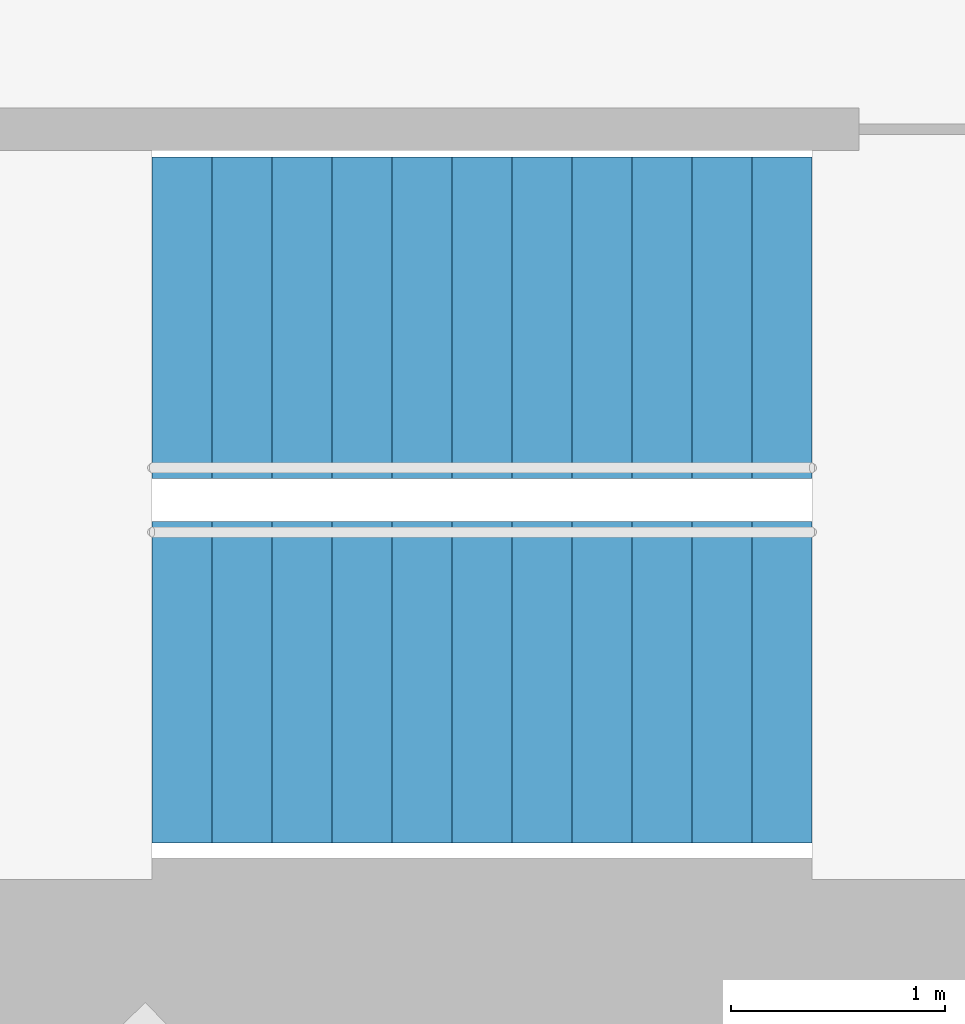
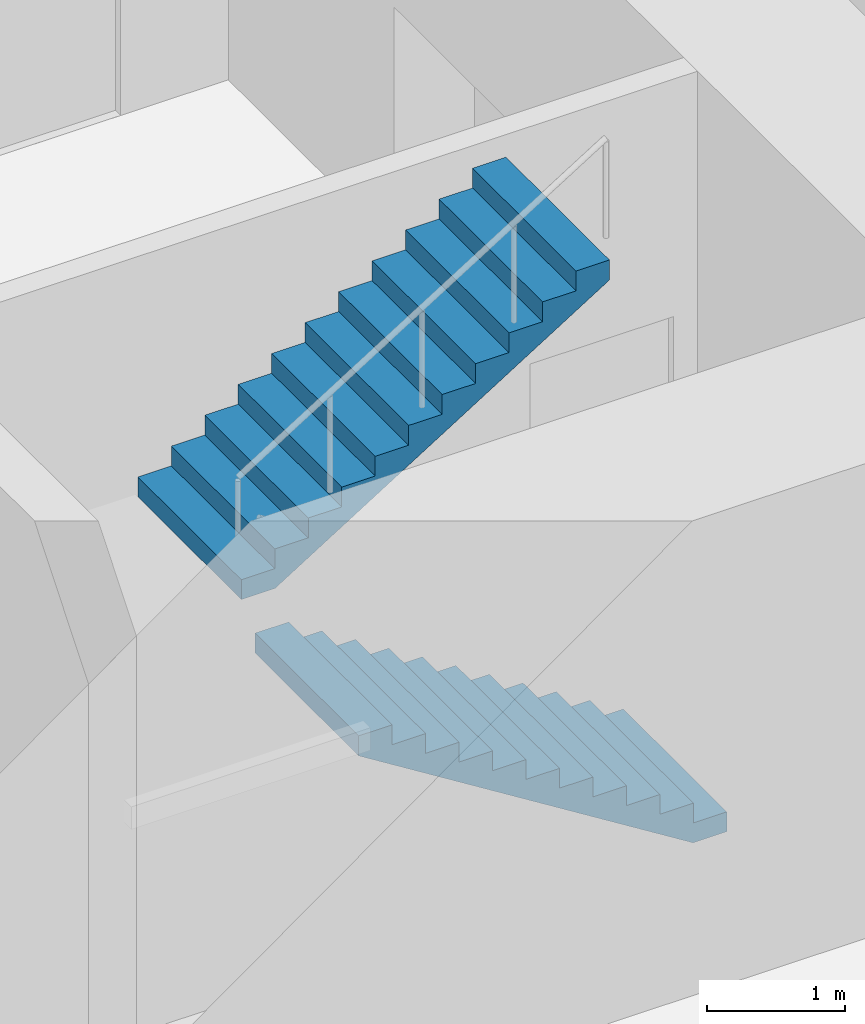
# One storey, part 17 of 18: 2 stair flights, 1 element without a shape of its own.
"""IFC4 building model written with IfcOpenShell, lengths in metres."""

import ifcopenshell
import ifcopenshell.guid

model = None  # the IFC model being written
_history = None  # IfcOwnerHistory: only IFC2X3 demands one
_inside = {}  # id of a spatial element -> (the spatial element, [elements in it])
_under = {}  # id of a project, library or spatial element -> (it, [spatial elements below it])
_declared = {}  # id of a project -> (the project, [libraries it declares])
_typed = {}  # id of a type object -> (the type object, [elements of that type])
_made_of = {}  # id of a material, layer set ... -> (it, [elements and type objects made of it])


def new_model(schema):
    """Start an empty IFC model of exactly this schema.

    Asked for "IFC4X3", IfcOpenShell would pick the latest addendum, in which some entities
    have other attributes; the version numbers below select the first issue.
    IFC2X3 requires an IfcOwnerHistory on every rooted entity: one is made here for all.
    """
    global model, _history
    if schema == "IFC4X3":
        model = ifcopenshell.file(schema_version=(4, 3, 0, 0))
    else:
        model = ifcopenshell.file(schema=schema)
    _inside.clear()
    _under.clear()
    _declared.clear()
    _typed.clear()
    _made_of.clear()
    _history = None
    if model.schema == "IFC2X3":
        org = make("IfcOrganization", Name="unknown")
        user = make(
            "IfcPersonAndOrganization",
            ThePerson=make("IfcPerson", FamilyName="unknown"),
            TheOrganization=org,
        )
        app = make(
            "IfcApplication",
            ApplicationDeveloper=org,
            Version="unknown",
            ApplicationFullName="unknown",
            ApplicationIdentifier="unknown",
        )
        _history = make(
            "IfcOwnerHistory",
            OwningUser=user,
            OwningApplication=app,
            ChangeAction="ADDED",
            CreationDate=0,
        )
    return model


def make(cls, **values):
    """One entity of the class cls with the attributes given. An attribute that is None is left unset."""
    return model.create_entity(
        cls, **{name: value for name, value in values.items() if value is not None}
    )


def rooted(cls, **values):
    """An entity with a GlobalId (a new one), such as an element, a storey or a relation."""
    return make(cls, GlobalId=ifcopenshell.guid.new(), OwnerHistory=_history, **values)


def si_unit(unit_type, name, prefix=None):
    """IfcSIUnit, for example si_unit("LENGTHUNIT", "METRE", prefix="MILLI")."""
    return make("IfcSIUnit", UnitType=unit_type, Prefix=prefix, Name=name)


def assignment(units):
    """IfcUnitAssignment: the units of a project."""
    return None if units is None else make("IfcUnitAssignment", Units=units)


def point(xyz):
    """IfcCartesianPoint."""
    return None if xyz is None else make("IfcCartesianPoint", Coordinates=xyz)


def direction(xyz):
    """IfcDirection."""
    return None if xyz is None else make("IfcDirection", DirectionRatios=xyz)


def frame(location, z_axis=None, x_axis=None):
    """IfcAxis2Placement3D, a coordinate frame: its origin and axes. An axis left out is left unset."""
    return make(
        "IfcAxis2Placement3D",
        Location=point(location),
        Axis=direction(z_axis),
        RefDirection=direction(x_axis),
    )


def origin():
    """The frame at (0, 0, 0) with its axes left unset."""
    return frame((0.0, 0.0, 0.0))


def place(relative_to, where):
    """IfcLocalPlacement: puts the frame where relative to a parent placement (None: the world)."""
    return make(
        "IfcLocalPlacement", PlacementRelTo=relative_to, RelativePlacement=where
    )


def context(
    kind, dimensions, precision=None, world=None, true_north=None, identifier=None
):
    """IfcGeometricRepresentationContext, for example the 3D "Model" context."""
    return make(
        "IfcGeometricRepresentationContext",
        ContextIdentifier=identifier,
        ContextType=kind,
        CoordinateSpaceDimension=dimensions,
        Precision=precision,
        WorldCoordinateSystem=world,
        TrueNorth=true_north,
    )


def subcontext(parent, identifier, kind, view, scale=None):
    """IfcGeometricRepresentationSubContext, for example "Body" below "Model"."""
    return make(
        "IfcGeometricRepresentationSubContext",
        ContextIdentifier=identifier,
        ContextType=kind,
        ParentContext=parent,
        TargetScale=scale,
        TargetView=view,
    )


def project(units=None, contexts=None):
    """IfcProject with its units and contexts."""
    return rooted(
        "IfcProject",
        Name="project",
        RepresentationContexts=contexts,
        UnitsInContext=assignment(units),
    )


def spatial(cls, under=None, at=None, **own):
    """A site, building, storey or space (cls), placed at a placement, below another one or the project."""
    s = rooted(cls, ObjectPlacement=at, **own)
    if under is not None:
        _under.setdefault(under.id(), (under, []))[1].append(s)
    return s


def point_list(points):
    """IfcCartesianPointList2D or 3D."""
    cls = (
        "IfcCartesianPointList2D" if len(points[0]) == 2 else "IfcCartesianPointList3D"
    )
    return make(cls, CoordList=points)


def triangles(points, corners, closed=None, point_numbers=None):
    """IfcTriangulatedFaceSet: each triangle names its three corners, points numbered from 1."""
    return make(
        "IfcTriangulatedFaceSet",
        Coordinates=point_list(points),
        Closed=closed,
        CoordIndex=corners,
        PnIndex=point_numbers,
    )


def shape(context_of_items, identifier, shape_type, items):
    """IfcShapeRepresentation: the items that make up one representation, for example the "Body"."""
    return make(
        "IfcShapeRepresentation",
        ContextOfItems=context_of_items,
        RepresentationIdentifier=identifier,
        RepresentationType=shape_type,
        Items=items,
    )


def material(Name=None, Category=None):
    """IfcMaterial."""
    return make("IfcMaterial", Name=Name, Category=Category)


def made_of(thing, what):
    """Note that an element or type object is made of a material, layer set ...; save() writes the relation."""
    if what is not None:
        _made_of.setdefault(what.id(), (what, []))[1].append(thing)
    return thing


def type_object(cls, material=None, **own):
    """A type object (cls), such as IfcWallType, which elements share."""
    return made_of(rooted(cls, **own), material)


def element(
    cls,
    number,
    at=None,
    inside=None,
    cuts=None,
    type_object=None,
    material=None,
    context=None,
    identifier="Body",
    shape_type=None,
    held_by="IfcProductDefinitionShape",
    body=None,
    shapes=None,
    **own,
):
    """One element of the class cls, such as IfcWall. Its Tag is "e" and its number.

    at: its placement. inside: the storey or other place that contains it. cuts: it is an
    opening in that element (IfcRelVoidsElement). A single representation is given by context,
    identifier, shape_type and body (its items); several are given by shapes. held_by: the class
    of the entity that holds the representations. save() writes the other relations.
    """
    e = rooted(cls, Tag="e%d" % number, ObjectPlacement=at, **own)
    if body is not None:
        shapes = [shape(context, identifier, shape_type, body)]
    if shapes is not None:
        e.Representation = make(held_by, Representations=shapes)
    if inside is not None:
        _inside.setdefault(inside.id(), (inside, []))[1].append(e)
    if cuts is not None:
        rooted(
            "IfcRelVoidsElement", RelatingBuildingElement=cuts, RelatedOpeningElement=e
        )
    if type_object is not None:
        _typed.setdefault(type_object.id(), (type_object, []))[1].append(e)
    return made_of(e, material)


def aggregate(whole, parts):
    """IfcRelAggregates: a whole, such as a stair, and the parts it consists of."""
    return rooted("IfcRelAggregates", RelatingObject=whole, RelatedObjects=parts)


def save(model, path):
    """Write the relations noted so far, then the file.

    IfcRelAggregates (storeys below a building ...), IfcRelContainedInSpatialStructure (elements
    in a storey), IfcRelDefinesByType, IfcRelAssociatesMaterial and IfcRelDeclares: one each for
    every whole, place, type object, material and project.
    """
    for whole, parts in _under.values():
        aggregate(whole, parts)
    for where, things in _inside.values():
        rooted(
            "IfcRelContainedInSpatialStructure",
            RelatedElements=things,
            RelatingStructure=where,
        )
    for kind, things in _typed.values():
        rooted("IfcRelDefinesByType", RelatedObjects=things, RelatingType=kind)
    for what, things in _made_of.values():
        rooted("IfcRelAssociatesMaterial", RelatedObjects=things, RelatingMaterial=what)
    for by, libraries in _declared.values():
        rooted("IfcRelDeclares", RelatingContext=by, RelatedDefinitions=libraries)
    model.write(path)


model = new_model("IFC4")

# Units and contexts
model_context = context("Model", 3, precision=1e-05, world=origin(), true_north=direction((0.0, 1.0)))
body_context = subcontext(model_context, "Body", "Model", "MODEL_VIEW")
ifc_project = project(units=[si_unit("LENGTHUNIT", "METRE"), si_unit("AREAUNIT", "SQUARE_METRE"), si_unit("VOLUMEUNIT", "CUBIC_METRE"), si_unit("PLANEANGLEUNIT", "RADIAN"), si_unit("MASSUNIT", "GRAM", prefix="KILO")], contexts=[model_context])

# Site, building, storey
site_placement = place(None, origin())
site = spatial("IfcSite", under=ifc_project, at=site_placement, CompositionType="ELEMENT")
building_placement = place(site_placement, origin())
building = spatial("IfcBuilding", under=site, at=building_placement, Name="Lantaw Convention Tower", CompositionType="ELEMENT")
storey_placement = place(building_placement, frame((0.0, 0.0, 130.0)))
storey = spatial("IfcBuildingStorey", under=building, at=storey_placement, Name="L30", CompositionType="ELEMENT", Elevation=130.0)

# Stair, stair flights
ifc_material = material(Name="Concrete C35/45", Category="concrete")
stair_type = type_object("IfcStairType", Name="Exit stair 1500 riser 175 in 2 flights", PredefinedType="HALF_TURN_STAIR", material=ifc_material)
stair_placement = place(storey_placement, origin())
stair = element("IfcStair", 1, at=stair_placement, inside=storey, type_object=stair_type, Name="Exit stair S2 L30", PredefinedType="HALF_TURN_STAIR")
stair_flight_type = type_object("IfcStairFlightType", Name="Stair flight 1500 riser 175", PredefinedType="STRAIGHT", material=ifc_material)
stair_flight_1_placement = place(storey_placement, frame((10.580078125, -5.97998046875, 0.0), z_axis=(0.0, 0.0, 1.0), x_axis=(-1.0, 0.0, 0.0)))
stair_flight_1 = element("IfcStairFlight", 2, at=stair_flight_1_placement, type_object=stair_flight_type, Name="S2 flight 1", NumberOfRisers=12, NumberOfTreads=11, PredefinedType="STRAIGHT", RiserHeight=0.175, TreadLength=0.28, context=body_context, shape_type="Tessellation", body=[
    triangles([(0.0, 0.75, 0.0), (0.0, 0.75, 0.175), (0.28, 0.75, 0.0), (0.28, 0.75, 0.175), (0.28, 0.75, 0.35), (0.28283517651771284, 0.75, 0.0), (0.28283517651771284, 0.75, 0.35), (0.56, 0.75, 0.17322801467642948), (0.56, 0.75, 0.35), (0.56, 0.75, 0.5249999999999999), (0.8400000000000001, 0.75, 0.34822801467642944), (0.8400000000000001, 0.75, 0.5249999999999999), (0.8400000000000001, 0.75, 0.7), (1.12, 0.75, 0.5232280146764294), (1.12, 0.75, 0.7), (1.12, 0.75, 0.875), (1.4000000000000001, 0.75, 0.6982280146764295), (1.4000000000000001, 0.75, 0.875), (1.4000000000000001, 0.75, 1.0499999999999998), (1.6800000000000002, 0.75, 0.8732280146764294), (1.6800000000000002, 0.75, 1.0499999999999998), (1.6800000000000002, 0.75, 1.2249999999999999), (1.9600000000000002, 0.75, 1.0482280146764293), (1.9600000000000002, 0.75, 1.2249999999999999), (1.9600000000000002, 0.75, 1.4), (2.24, 0.75, 1.2232280146764294), (2.24, 0.75, 1.4), (2.24, 0.75, 1.575), (2.5200000000000005, 0.75, 1.3982280146764294), (2.5200000000000005, 0.75, 1.575), (2.5200000000000005, 0.75, 1.75), (2.8000000000000003, 0.75, 1.5732280146764293), (2.8000000000000003, 0.75, 1.75), (2.8000000000000003, 0.75, 1.9249999999999998), (3.08, 0.75, 1.7482280146764293), (3.08, 0.75, 1.9249999999999998), (0.0, -0.75, 0.0), (0.0, -0.75, 0.175), (0.28, -0.75, 0.0), (0.28, -0.75, 0.175), (0.28, -0.75, 0.35), (0.28283517651771284, -0.75, 0.0), (0.28283517651771284, -0.75, 0.35), (0.56, -0.75, 0.17322801467642948), (0.56, -0.75, 0.35), (0.56, -0.75, 0.5249999999999999), (0.8400000000000001, -0.75, 0.34822801467642944), (0.8400000000000001, -0.75, 0.5249999999999999), (0.8400000000000001, -0.75, 0.7), (1.12, -0.75, 0.5232280146764294), (1.12, -0.75, 0.7), (1.12, -0.75, 0.875), (1.4000000000000001, -0.75, 0.6982280146764295), (1.4000000000000001, -0.75, 0.875), (1.4000000000000001, -0.75, 1.0499999999999998), (1.6800000000000002, -0.75, 0.8732280146764294), (1.6800000000000002, -0.75, 1.0499999999999998), (1.6800000000000002, -0.75, 1.2249999999999999), (1.9600000000000002, -0.75, 1.0482280146764293), (1.9600000000000002, -0.75, 1.2249999999999999), (1.9600000000000002, -0.75, 1.4), (2.24, -0.75, 1.2232280146764294), (2.24, -0.75, 1.4), (2.24, -0.75, 1.575), (2.5200000000000005, -0.75, 1.3982280146764294), (2.5200000000000005, -0.75, 1.575), (2.5200000000000005, -0.75, 1.75), (2.8000000000000003, -0.75, 1.5732280146764293), (2.8000000000000003, -0.75, 1.75), (2.8000000000000003, -0.75, 1.9249999999999998), (3.08, -0.75, 1.7482280146764293), (3.08, -0.75, 1.9249999999999998), (0.0, 0.15000000000000002, 0.175), (0.0, 0.15000000000000002, 0.0), (0.0, 0.0, 0.175), (0.0, 0.0, 0.0), (0.0, -0.15000000000000002, 0.175), (0.0, -0.15000000000000002, 0.0), (0.28, 0.15000000000000002, 0.35), (0.28, 0.15000000000000002, 0.175), (0.28, 0.0, 0.35), (0.28, 0.0, 0.175), (0.28, -0.15000000000000002, 0.35), (0.28, -0.15000000000000002, 0.175), (0.56, 0.15000000000000002, 0.5249999999999999), (0.56, 0.15000000000000002, 0.35), (0.56, 0.0, 0.5249999999999999), (0.56, 0.0, 0.35), (0.56, -0.15000000000000002, 0.5249999999999999), (0.56, -0.15000000000000002, 0.35), (0.8400000000000001, 0.15000000000000002, 0.7), (0.8400000000000001, 0.15000000000000002, 0.5249999999999999), (0.8400000000000001, 0.0, 0.7), (0.8400000000000001, 0.0, 0.5249999999999999), (0.8400000000000001, -0.15000000000000002, 0.7), (0.8400000000000001, -0.15000000000000002, 0.5249999999999999), (1.12, 0.15000000000000002, 0.875), (1.12, 0.15000000000000002, 0.7), (1.12, 0.0, 0.875), (1.12, 0.0, 0.7), (1.12, -0.15000000000000002, 0.875), (1.12, -0.15000000000000002, 0.7), (1.4000000000000001, 0.15000000000000002, 1.0499999999999998), (1.4000000000000001, 0.15000000000000002, 0.875), (1.4000000000000001, 0.0, 1.0499999999999998), (1.4000000000000001, 0.0, 0.875), (1.4000000000000001, -0.15000000000000002, 1.0499999999999998), (1.4000000000000001, -0.15000000000000002, 0.875), (1.6800000000000002, 0.15000000000000002, 1.2249999999999999), (1.6800000000000002, 0.15000000000000002, 1.0499999999999998), (1.6800000000000002, 0.0, 1.2249999999999999), (1.6800000000000002, 0.0, 1.0499999999999998), (1.6800000000000002, -0.15000000000000002, 1.2249999999999999), (1.6800000000000002, -0.15000000000000002, 1.0499999999999998), (1.9600000000000002, 0.15000000000000002, 1.4), (1.9600000000000002, 0.15000000000000002, 1.2249999999999999), (1.9600000000000002, 0.0, 1.4), (1.9600000000000002, 0.0, 1.2249999999999999), (1.9600000000000002, -0.15000000000000002, 1.4), (1.9600000000000002, -0.15000000000000002, 1.2249999999999999), (2.24, 0.15000000000000002, 1.575), (2.24, 0.15000000000000002, 1.4), (2.24, 0.0, 1.575), (2.24, 0.0, 1.4), (2.24, -0.15000000000000002, 1.575), (2.24, -0.15000000000000002, 1.4), (2.5200000000000005, 0.15000000000000002, 1.75), (2.5200000000000005, 0.15000000000000002, 1.575), (2.5200000000000005, 0.0, 1.75), (2.5200000000000005, 0.0, 1.575), (2.5200000000000005, -0.15000000000000002, 1.75), (2.5200000000000005, -0.15000000000000002, 1.575), (2.8000000000000003, 0.15000000000000002, 1.9249999999999998), (2.8000000000000003, 0.15000000000000002, 1.75), (2.8000000000000003, 0.0, 1.9249999999999998), (2.8000000000000003, 0.0, 1.75), (2.8000000000000003, -0.15000000000000002, 1.9249999999999998), (2.8000000000000003, -0.15000000000000002, 1.75), (0.28283517651771284, 0.15000000000000002, 0.35), (0.28283517651771284, 0.0, 0.35), (0.28283517651771284, -0.15000000000000002, 0.35), (3.08, 0.15000000000000002, 1.9249999999999998), (3.08, 0.0, 1.9249999999999998), (3.08, -0.15000000000000002, 1.9249999999999998), (3.08, 0.15000000000000002, 1.7482280146764293), (3.08, 0.0, 1.7482280146764293), (3.08, -0.15000000000000002, 1.7482280146764293), (2.8000000000000003, 0.15000000000000002, 1.5732280146764293), (2.8000000000000003, 0.0, 1.5732280146764293), (2.8000000000000003, -0.15000000000000002, 1.5732280146764293), (2.5200000000000005, 0.15000000000000002, 1.3982280146764294), (2.5200000000000005, 0.0, 1.3982280146764294), (2.5200000000000005, -0.15000000000000002, 1.3982280146764294), (2.24, 0.15000000000000002, 1.2232280146764294), (2.24, 0.0, 1.2232280146764294), (2.24, -0.15000000000000002, 1.2232280146764294), (1.9600000000000002, 0.15000000000000002, 1.0482280146764293), (1.9600000000000002, 0.0, 1.0482280146764293), (1.9600000000000002, -0.15000000000000002, 1.0482280146764293), (1.6800000000000002, 0.15000000000000002, 0.8732280146764294), (1.6800000000000002, 0.0, 0.8732280146764294), (1.6800000000000002, -0.15000000000000002, 0.8732280146764294), (1.4000000000000001, 0.15000000000000002, 0.6982280146764295), (1.4000000000000001, 0.0, 0.6982280146764295), (1.4000000000000001, -0.15000000000000002, 0.6982280146764295), (1.12, 0.15000000000000002, 0.5232280146764294), (1.12, 0.0, 0.5232280146764294), (1.12, -0.15000000000000002, 0.5232280146764294), (0.8400000000000001, 0.15000000000000002, 0.34822801467642944), (0.8400000000000001, 0.0, 0.34822801467642944), (0.8400000000000001, -0.15000000000000002, 0.34822801467642944), (0.56, 0.15000000000000002, 0.17322801467642948), (0.56, 0.0, 0.17322801467642948), (0.56, -0.15000000000000002, 0.17322801467642948), (0.28283517651771284, 0.15000000000000002, 0.0), (0.28283517651771284, 0.0, 0.0), (0.28283517651771284, -0.15000000000000002, 0.0), (0.28, 0.15000000000000002, 0.0), (0.28, 0.0, 0.0), (0.28, -0.15000000000000002, 0.0)], [[1, 4, 3], [1, 2, 4], [3, 4, 6], [4, 7, 6], [4, 5, 7], [6, 9, 8], [6, 7, 9], [8, 9, 11], [9, 12, 11], [9, 10, 12], [11, 12, 14], [12, 15, 14], [12, 13, 15], [14, 15, 17], [15, 18, 17], [15, 16, 18], [17, 18, 20], [18, 21, 20], [18, 19, 21], [20, 21, 23], [21, 24, 23], [21, 22, 24], [23, 24, 26], [24, 27, 26], [24, 25, 27], [26, 27, 29], [27, 30, 29], [27, 28, 30], [29, 30, 32], [30, 33, 32], [30, 31, 33], [32, 33, 35], [33, 36, 35], [33, 34, 36], [37, 39, 40], [37, 40, 38], [39, 42, 40], [40, 42, 43], [40, 43, 41], [42, 44, 45], [42, 45, 43], [44, 47, 45], [45, 47, 48], [45, 48, 46], [47, 50, 48], [48, 50, 51], [48, 51, 49], [50, 53, 51], [51, 53, 54], [51, 54, 52], [53, 56, 54], [54, 56, 57], [54, 57, 55], [56, 59, 57], [57, 59, 60], [57, 60, 58], [59, 62, 60], [60, 62, 63], [60, 63, 61], [62, 65, 63], [63, 65, 66], [63, 66, 64], [65, 68, 66], [66, 68, 69], [66, 69, 67], [68, 71, 69], [69, 71, 72], [69, 72, 70], [1, 73, 2], [1, 74, 73], [74, 75, 73], [74, 76, 75], [76, 77, 75], [76, 78, 77], [78, 38, 77], [78, 37, 38], [4, 79, 5], [4, 80, 79], [80, 81, 79], [80, 82, 81], [82, 83, 81], [82, 84, 83], [84, 41, 83], [84, 40, 41], [9, 85, 10], [9, 86, 85], [86, 87, 85], [86, 88, 87], [88, 89, 87], [88, 90, 89], [90, 46, 89], [90, 45, 46], [12, 91, 13], [12, 92, 91], [92, 93, 91], [92, 94, 93], [94, 95, 93], [94, 96, 95], [96, 49, 95], [96, 48, 49], [15, 97, 16], [15, 98, 97], [98, 99, 97], [98, 100, 99], [100, 101, 99], [100, 102, 101], [102, 52, 101], [102, 51, 52], [18, 103, 19], [18, 104, 103], [104, 105, 103], [104, 106, 105], [106, 107, 105], [106, 108, 107], [108, 55, 107], [108, 54, 55], [21, 109, 22], [21, 110, 109], [110, 111, 109], [110, 112, 111], [112, 113, 111], [112, 114, 113], [114, 58, 113], [114, 57, 58], [24, 115, 25], [24, 116, 115], [116, 117, 115], [116, 118, 117], [118, 119, 117], [118, 120, 119], [120, 61, 119], [120, 60, 61], [27, 121, 28], [27, 122, 121], [122, 123, 121], [122, 124, 123], [124, 125, 123], [124, 126, 125], [126, 64, 125], [126, 63, 64], [30, 127, 31], [30, 128, 127], [128, 129, 127], [128, 130, 129], [130, 131, 129], [130, 132, 131], [132, 67, 131], [132, 66, 67], [33, 133, 34], [33, 134, 133], [134, 135, 133], [134, 136, 135], [136, 137, 135], [136, 138, 137], [138, 70, 137], [138, 69, 70], [2, 80, 4], [2, 73, 80], [73, 82, 80], [73, 75, 82], [75, 84, 82], [75, 77, 84], [77, 40, 84], [77, 38, 40], [5, 139, 7], [5, 79, 139], [79, 140, 139], [79, 81, 140], [81, 141, 140], [81, 83, 141], [83, 43, 141], [83, 41, 43], [7, 86, 9], [7, 139, 86], [139, 88, 86], [139, 140, 88], [140, 90, 88], [140, 141, 90], [141, 45, 90], [141, 43, 45], [10, 92, 12], [10, 85, 92], [85, 94, 92], [85, 87, 94], [87, 96, 94], [87, 89, 96], [89, 48, 96], [89, 46, 48], [13, 98, 15], [13, 91, 98], [91, 100, 98], [91, 93, 100], [93, 102, 100], [93, 95, 102], [95, 51, 102], [95, 49, 51], [16, 104, 18], [16, 97, 104], [97, 106, 104], [97, 99, 106], [99, 108, 106], [99, 101, 108], [101, 54, 108], [101, 52, 54], [19, 110, 21], [19, 103, 110], [103, 112, 110], [103, 105, 112], [105, 114, 112], [105, 107, 114], [107, 57, 114], [107, 55, 57], [22, 116, 24], [22, 109, 116], [109, 118, 116], [109, 111, 118], [111, 120, 118], [111, 113, 120], [113, 60, 120], [113, 58, 60], [25, 122, 27], [25, 115, 122], [115, 124, 122], [115, 117, 124], [117, 126, 124], [117, 119, 126], [119, 63, 126], [119, 61, 63], [28, 128, 30], [28, 121, 128], [121, 130, 128], [121, 123, 130], [123, 132, 130], [123, 125, 132], [125, 66, 132], [125, 64, 66], [31, 134, 33], [31, 127, 134], [127, 136, 134], [127, 129, 136], [129, 138, 136], [129, 131, 138], [131, 69, 138], [131, 67, 69], [34, 142, 36], [34, 133, 142], [133, 143, 142], [133, 135, 143], [135, 144, 143], [135, 137, 144], [137, 72, 144], [137, 70, 72], [36, 145, 35], [36, 142, 145], [142, 146, 145], [142, 143, 146], [143, 147, 146], [143, 144, 147], [144, 71, 147], [144, 72, 71], [35, 148, 32], [35, 145, 148], [145, 149, 148], [145, 146, 149], [146, 150, 149], [146, 147, 150], [147, 68, 150], [147, 71, 68], [32, 151, 29], [32, 148, 151], [148, 152, 151], [148, 149, 152], [149, 153, 152], [149, 150, 153], [150, 65, 153], [150, 68, 65], [29, 154, 26], [29, 151, 154], [151, 155, 154], [151, 152, 155], [152, 156, 155], [152, 153, 156], [153, 62, 156], [153, 65, 62], [26, 157, 23], [26, 154, 157], [154, 158, 157], [154, 155, 158], [155, 159, 158], [155, 156, 159], [156, 59, 159], [156, 62, 59], [23, 160, 20], [23, 157, 160], [157, 161, 160], [157, 158, 161], [158, 162, 161], [158, 159, 162], [159, 56, 162], [159, 59, 56], [20, 163, 17], [20, 160, 163], [160, 164, 163], [160, 161, 164], [161, 165, 164], [161, 162, 165], [162, 53, 165], [162, 56, 53], [17, 166, 14], [17, 163, 166], [163, 167, 166], [163, 164, 167], [164, 168, 167], [164, 165, 168], [165, 50, 168], [165, 53, 50], [14, 169, 11], [14, 166, 169], [166, 170, 169], [166, 167, 170], [167, 171, 170], [167, 168, 171], [168, 47, 171], [168, 50, 47], [11, 172, 8], [11, 169, 172], [169, 173, 172], [169, 170, 173], [170, 174, 173], [170, 171, 174], [171, 44, 174], [171, 47, 44], [8, 175, 6], [8, 172, 175], [172, 176, 175], [172, 173, 176], [173, 177, 176], [173, 174, 177], [174, 42, 177], [174, 44, 42], [6, 178, 3], [6, 175, 178], [175, 179, 178], [175, 176, 179], [176, 180, 179], [176, 177, 180], [177, 39, 180], [177, 42, 39], [3, 74, 1], [3, 178, 74], [178, 76, 74], [178, 179, 76], [179, 78, 76], [179, 180, 78], [180, 37, 78], [180, 39, 37]], closed=True),
])
stair_flight_2_placement = place(storey_placement, frame((7.5, -4.280029296875, 2.10009765625), z_axis=(0.0, 0.0, 1.0), x_axis=(1.0, 0.0, 0.0)))
stair_flight_2 = element("IfcStairFlight", 3, at=stair_flight_2_placement, type_object=stair_flight_type, Name="S2 flight 2", NumberOfRisers=12, NumberOfTreads=11, PredefinedType="STRAIGHT", RiserHeight=0.175, TreadLength=0.28, context=body_context, shape_type="Tessellation", body=[
    triangles([(0.0, 0.75, 0.0), (0.0, 0.75, 0.175), (0.28, 0.75, 0.0), (0.28, 0.75, 0.175), (0.28, 0.75, 0.35), (0.28283517651771284, 0.75, 0.0), (0.28283517651771284, 0.75, 0.35), (0.56, 0.75, 0.17322801467642948), (0.56, 0.75, 0.35), (0.56, 0.75, 0.5249999999999999), (0.8400000000000001, 0.75, 0.34822801467642944), (0.8400000000000001, 0.75, 0.5249999999999999), (0.8400000000000001, 0.75, 0.7), (1.12, 0.75, 0.5232280146764294), (1.12, 0.75, 0.7), (1.12, 0.75, 0.875), (1.4000000000000001, 0.75, 0.6982280146764295), (1.4000000000000001, 0.75, 0.875), (1.4000000000000001, 0.75, 1.0499999999999998), (1.6800000000000002, 0.75, 0.8732280146764294), (1.6800000000000002, 0.75, 1.0499999999999998), (1.6800000000000002, 0.75, 1.2249999999999999), (1.9600000000000002, 0.75, 1.0482280146764293), (1.9600000000000002, 0.75, 1.2249999999999999), (1.9600000000000002, 0.75, 1.4), (2.24, 0.75, 1.2232280146764294), (2.24, 0.75, 1.4), (2.24, 0.75, 1.575), (2.5200000000000005, 0.75, 1.3982280146764294), (2.5200000000000005, 0.75, 1.575), (2.5200000000000005, 0.75, 1.75), (2.8000000000000003, 0.75, 1.5732280146764293), (2.8000000000000003, 0.75, 1.75), (2.8000000000000003, 0.75, 1.9249999999999998), (3.08, 0.75, 1.7482280146764293), (3.08, 0.75, 1.9249999999999998), (0.0, -0.75, 0.0), (0.0, -0.75, 0.175), (0.28, -0.75, 0.0), (0.28, -0.75, 0.175), (0.28, -0.75, 0.35), (0.28283517651771284, -0.75, 0.0), (0.28283517651771284, -0.75, 0.35), (0.56, -0.75, 0.17322801467642948), (0.56, -0.75, 0.35), (0.56, -0.75, 0.5249999999999999), (0.8400000000000001, -0.75, 0.34822801467642944), (0.8400000000000001, -0.75, 0.5249999999999999), (0.8400000000000001, -0.75, 0.7), (1.12, -0.75, 0.5232280146764294), (1.12, -0.75, 0.7), (1.12, -0.75, 0.875), (1.4000000000000001, -0.75, 0.6982280146764295), (1.4000000000000001, -0.75, 0.875), (1.4000000000000001, -0.75, 1.0499999999999998), (1.6800000000000002, -0.75, 0.8732280146764294), (1.6800000000000002, -0.75, 1.0499999999999998), (1.6800000000000002, -0.75, 1.2249999999999999), (1.9600000000000002, -0.75, 1.0482280146764293), (1.9600000000000002, -0.75, 1.2249999999999999), (1.9600000000000002, -0.75, 1.4), (2.24, -0.75, 1.2232280146764294), (2.24, -0.75, 1.4), (2.24, -0.75, 1.575), (2.5200000000000005, -0.75, 1.3982280146764294), (2.5200000000000005, -0.75, 1.575), (2.5200000000000005, -0.75, 1.75), (2.8000000000000003, -0.75, 1.5732280146764293), (2.8000000000000003, -0.75, 1.75), (2.8000000000000003, -0.75, 1.9249999999999998), (3.08, -0.75, 1.7482280146764293), (3.08, -0.75, 1.9249999999999998), (0.0, 0.15000000000000002, 0.175), (0.0, 0.15000000000000002, 0.0), (0.0, 0.0, 0.175), (0.0, 0.0, 0.0), (0.0, -0.15000000000000002, 0.175), (0.0, -0.15000000000000002, 0.0), (0.28, 0.15000000000000002, 0.35), (0.28, 0.15000000000000002, 0.175), (0.28, 0.0, 0.35), (0.28, 0.0, 0.175), (0.28, -0.15000000000000002, 0.35), (0.28, -0.15000000000000002, 0.175), (0.56, 0.15000000000000002, 0.5249999999999999), (0.56, 0.15000000000000002, 0.35), (0.56, 0.0, 0.5249999999999999), (0.56, 0.0, 0.35), (0.56, -0.15000000000000002, 0.5249999999999999), (0.56, -0.15000000000000002, 0.35), (0.8400000000000001, 0.15000000000000002, 0.7), (0.8400000000000001, 0.15000000000000002, 0.5249999999999999), (0.8400000000000001, 0.0, 0.7), (0.8400000000000001, 0.0, 0.5249999999999999), (0.8400000000000001, -0.15000000000000002, 0.7), (0.8400000000000001, -0.15000000000000002, 0.5249999999999999), (1.12, 0.15000000000000002, 0.875), (1.12, 0.15000000000000002, 0.7), (1.12, 0.0, 0.875), (1.12, 0.0, 0.7), (1.12, -0.15000000000000002, 0.875), (1.12, -0.15000000000000002, 0.7), (1.4000000000000001, 0.15000000000000002, 1.0499999999999998), (1.4000000000000001, 0.15000000000000002, 0.875), (1.4000000000000001, 0.0, 1.0499999999999998), (1.4000000000000001, 0.0, 0.875), (1.4000000000000001, -0.15000000000000002, 1.0499999999999998), (1.4000000000000001, -0.15000000000000002, 0.875), (1.6800000000000002, 0.15000000000000002, 1.2249999999999999), (1.6800000000000002, 0.15000000000000002, 1.0499999999999998), (1.6800000000000002, 0.0, 1.2249999999999999), (1.6800000000000002, 0.0, 1.0499999999999998), (1.6800000000000002, -0.15000000000000002, 1.2249999999999999), (1.6800000000000002, -0.15000000000000002, 1.0499999999999998), (1.9600000000000002, 0.15000000000000002, 1.4), (1.9600000000000002, 0.15000000000000002, 1.2249999999999999), (1.9600000000000002, 0.0, 1.4), (1.9600000000000002, 0.0, 1.2249999999999999), (1.9600000000000002, -0.15000000000000002, 1.4), (1.9600000000000002, -0.15000000000000002, 1.2249999999999999), (2.24, 0.15000000000000002, 1.575), (2.24, 0.15000000000000002, 1.4), (2.24, 0.0, 1.575), (2.24, 0.0, 1.4), (2.24, -0.15000000000000002, 1.575), (2.24, -0.15000000000000002, 1.4), (2.5200000000000005, 0.15000000000000002, 1.75), (2.5200000000000005, 0.15000000000000002, 1.575), (2.5200000000000005, 0.0, 1.75), (2.5200000000000005, 0.0, 1.575), (2.5200000000000005, -0.15000000000000002, 1.75), (2.5200000000000005, -0.15000000000000002, 1.575), (2.8000000000000003, 0.15000000000000002, 1.9249999999999998), (2.8000000000000003, 0.15000000000000002, 1.75), (2.8000000000000003, 0.0, 1.9249999999999998), (2.8000000000000003, 0.0, 1.75), (2.8000000000000003, -0.15000000000000002, 1.9249999999999998), (2.8000000000000003, -0.15000000000000002, 1.75), (0.28283517651771284, 0.15000000000000002, 0.35), (0.28283517651771284, 0.0, 0.35), (0.28283517651771284, -0.15000000000000002, 0.35), (3.08, 0.15000000000000002, 1.9249999999999998), (3.08, 0.0, 1.9249999999999998), (3.08, -0.15000000000000002, 1.9249999999999998), (3.08, 0.15000000000000002, 1.7482280146764293), (3.08, 0.0, 1.7482280146764293), (3.08, -0.15000000000000002, 1.7482280146764293), (2.8000000000000003, 0.15000000000000002, 1.5732280146764293), (2.8000000000000003, 0.0, 1.5732280146764293), (2.8000000000000003, -0.15000000000000002, 1.5732280146764293), (2.5200000000000005, 0.15000000000000002, 1.3982280146764294), (2.5200000000000005, 0.0, 1.3982280146764294), (2.5200000000000005, -0.15000000000000002, 1.3982280146764294), (2.24, 0.15000000000000002, 1.2232280146764294), (2.24, 0.0, 1.2232280146764294), (2.24, -0.15000000000000002, 1.2232280146764294), (1.9600000000000002, 0.15000000000000002, 1.0482280146764293), (1.9600000000000002, 0.0, 1.0482280146764293), (1.9600000000000002, -0.15000000000000002, 1.0482280146764293), (1.6800000000000002, 0.15000000000000002, 0.8732280146764294), (1.6800000000000002, 0.0, 0.8732280146764294), (1.6800000000000002, -0.15000000000000002, 0.8732280146764294), (1.4000000000000001, 0.15000000000000002, 0.6982280146764295), (1.4000000000000001, 0.0, 0.6982280146764295), (1.4000000000000001, -0.15000000000000002, 0.6982280146764295), (1.12, 0.15000000000000002, 0.5232280146764294), (1.12, 0.0, 0.5232280146764294), (1.12, -0.15000000000000002, 0.5232280146764294), (0.8400000000000001, 0.15000000000000002, 0.34822801467642944), (0.8400000000000001, 0.0, 0.34822801467642944), (0.8400000000000001, -0.15000000000000002, 0.34822801467642944), (0.56, 0.15000000000000002, 0.17322801467642948), (0.56, 0.0, 0.17322801467642948), (0.56, -0.15000000000000002, 0.17322801467642948), (0.28283517651771284, 0.15000000000000002, 0.0), (0.28283517651771284, 0.0, 0.0), (0.28283517651771284, -0.15000000000000002, 0.0), (0.28, 0.15000000000000002, 0.0), (0.28, 0.0, 0.0), (0.28, -0.15000000000000002, 0.0)], [[1, 4, 3], [1, 2, 4], [3, 4, 6], [4, 7, 6], [4, 5, 7], [6, 9, 8], [6, 7, 9], [8, 9, 11], [9, 12, 11], [9, 10, 12], [11, 12, 14], [12, 15, 14], [12, 13, 15], [14, 15, 17], [15, 18, 17], [15, 16, 18], [17, 18, 20], [18, 21, 20], [18, 19, 21], [20, 21, 23], [21, 24, 23], [21, 22, 24], [23, 24, 26], [24, 27, 26], [24, 25, 27], [26, 27, 29], [27, 30, 29], [27, 28, 30], [29, 30, 32], [30, 33, 32], [30, 31, 33], [32, 33, 35], [33, 36, 35], [33, 34, 36], [37, 39, 40], [37, 40, 38], [39, 42, 40], [40, 42, 43], [40, 43, 41], [42, 44, 45], [42, 45, 43], [44, 47, 45], [45, 47, 48], [45, 48, 46], [47, 50, 48], [48, 50, 51], [48, 51, 49], [50, 53, 51], [51, 53, 54], [51, 54, 52], [53, 56, 54], [54, 56, 57], [54, 57, 55], [56, 59, 57], [57, 59, 60], [57, 60, 58], [59, 62, 60], [60, 62, 63], [60, 63, 61], [62, 65, 63], [63, 65, 66], [63, 66, 64], [65, 68, 66], [66, 68, 69], [66, 69, 67], [68, 71, 69], [69, 71, 72], [69, 72, 70], [1, 73, 2], [1, 74, 73], [74, 75, 73], [74, 76, 75], [76, 77, 75], [76, 78, 77], [78, 38, 77], [78, 37, 38], [4, 79, 5], [4, 80, 79], [80, 81, 79], [80, 82, 81], [82, 83, 81], [82, 84, 83], [84, 41, 83], [84, 40, 41], [9, 85, 10], [9, 86, 85], [86, 87, 85], [86, 88, 87], [88, 89, 87], [88, 90, 89], [90, 46, 89], [90, 45, 46], [12, 91, 13], [12, 92, 91], [92, 93, 91], [92, 94, 93], [94, 95, 93], [94, 96, 95], [96, 49, 95], [96, 48, 49], [15, 97, 16], [15, 98, 97], [98, 99, 97], [98, 100, 99], [100, 101, 99], [100, 102, 101], [102, 52, 101], [102, 51, 52], [18, 103, 19], [18, 104, 103], [104, 105, 103], [104, 106, 105], [106, 107, 105], [106, 108, 107], [108, 55, 107], [108, 54, 55], [21, 109, 22], [21, 110, 109], [110, 111, 109], [110, 112, 111], [112, 113, 111], [112, 114, 113], [114, 58, 113], [114, 57, 58], [24, 115, 25], [24, 116, 115], [116, 117, 115], [116, 118, 117], [118, 119, 117], [118, 120, 119], [120, 61, 119], [120, 60, 61], [27, 121, 28], [27, 122, 121], [122, 123, 121], [122, 124, 123], [124, 125, 123], [124, 126, 125], [126, 64, 125], [126, 63, 64], [30, 127, 31], [30, 128, 127], [128, 129, 127], [128, 130, 129], [130, 131, 129], [130, 132, 131], [132, 67, 131], [132, 66, 67], [33, 133, 34], [33, 134, 133], [134, 135, 133], [134, 136, 135], [136, 137, 135], [136, 138, 137], [138, 70, 137], [138, 69, 70], [2, 80, 4], [2, 73, 80], [73, 82, 80], [73, 75, 82], [75, 84, 82], [75, 77, 84], [77, 40, 84], [77, 38, 40], [5, 139, 7], [5, 79, 139], [79, 140, 139], [79, 81, 140], [81, 141, 140], [81, 83, 141], [83, 43, 141], [83, 41, 43], [7, 86, 9], [7, 139, 86], [139, 88, 86], [139, 140, 88], [140, 90, 88], [140, 141, 90], [141, 45, 90], [141, 43, 45], [10, 92, 12], [10, 85, 92], [85, 94, 92], [85, 87, 94], [87, 96, 94], [87, 89, 96], [89, 48, 96], [89, 46, 48], [13, 98, 15], [13, 91, 98], [91, 100, 98], [91, 93, 100], [93, 102, 100], [93, 95, 102], [95, 51, 102], [95, 49, 51], [16, 104, 18], [16, 97, 104], [97, 106, 104], [97, 99, 106], [99, 108, 106], [99, 101, 108], [101, 54, 108], [101, 52, 54], [19, 110, 21], [19, 103, 110], [103, 112, 110], [103, 105, 112], [105, 114, 112], [105, 107, 114], [107, 57, 114], [107, 55, 57], [22, 116, 24], [22, 109, 116], [109, 118, 116], [109, 111, 118], [111, 120, 118], [111, 113, 120], [113, 60, 120], [113, 58, 60], [25, 122, 27], [25, 115, 122], [115, 124, 122], [115, 117, 124], [117, 126, 124], [117, 119, 126], [119, 63, 126], [119, 61, 63], [28, 128, 30], [28, 121, 128], [121, 130, 128], [121, 123, 130], [123, 132, 130], [123, 125, 132], [125, 66, 132], [125, 64, 66], [31, 134, 33], [31, 127, 134], [127, 136, 134], [127, 129, 136], [129, 138, 136], [129, 131, 138], [131, 69, 138], [131, 67, 69], [34, 142, 36], [34, 133, 142], [133, 143, 142], [133, 135, 143], [135, 144, 143], [135, 137, 144], [137, 72, 144], [137, 70, 72], [36, 145, 35], [36, 142, 145], [142, 146, 145], [142, 143, 146], [143, 147, 146], [143, 144, 147], [144, 71, 147], [144, 72, 71], [35, 148, 32], [35, 145, 148], [145, 149, 148], [145, 146, 149], [146, 150, 149], [146, 147, 150], [147, 68, 150], [147, 71, 68], [32, 151, 29], [32, 148, 151], [148, 152, 151], [148, 149, 152], [149, 153, 152], [149, 150, 153], [150, 65, 153], [150, 68, 65], [29, 154, 26], [29, 151, 154], [151, 155, 154], [151, 152, 155], [152, 156, 155], [152, 153, 156], [153, 62, 156], [153, 65, 62], [26, 157, 23], [26, 154, 157], [154, 158, 157], [154, 155, 158], [155, 159, 158], [155, 156, 159], [156, 59, 159], [156, 62, 59], [23, 160, 20], [23, 157, 160], [157, 161, 160], [157, 158, 161], [158, 162, 161], [158, 159, 162], [159, 56, 162], [159, 59, 56], [20, 163, 17], [20, 160, 163], [160, 164, 163], [160, 161, 164], [161, 165, 164], [161, 162, 165], [162, 53, 165], [162, 56, 53], [17, 166, 14], [17, 163, 166], [163, 167, 166], [163, 164, 167], [164, 168, 167], [164, 165, 168], [165, 50, 168], [165, 53, 50], [14, 169, 11], [14, 166, 169], [166, 170, 169], [166, 167, 170], [167, 171, 170], [167, 168, 171], [168, 47, 171], [168, 50, 47], [11, 172, 8], [11, 169, 172], [169, 173, 172], [169, 170, 173], [170, 174, 173], [170, 171, 174], [171, 44, 174], [171, 47, 44], [8, 175, 6], [8, 172, 175], [172, 176, 175], [172, 173, 176], [173, 177, 176], [173, 174, 177], [174, 42, 177], [174, 44, 42], [6, 178, 3], [6, 175, 178], [175, 179, 178], [175, 176, 179], [176, 180, 179], [176, 177, 180], [177, 39, 180], [177, 42, 39], [3, 74, 1], [3, 178, 74], [178, 76, 74], [178, 179, 76], [179, 78, 76], [179, 180, 78], [180, 37, 78], [180, 39, 37]], closed=True),
])
aggregate(stair, [stair_flight_1, stair_flight_2])

save(model, "model.ifc")
